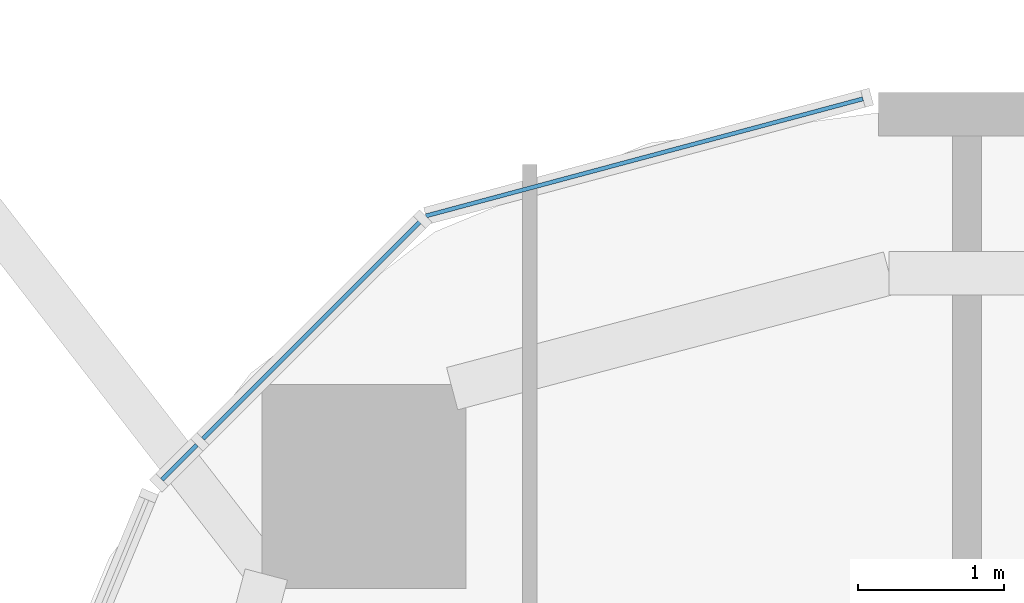
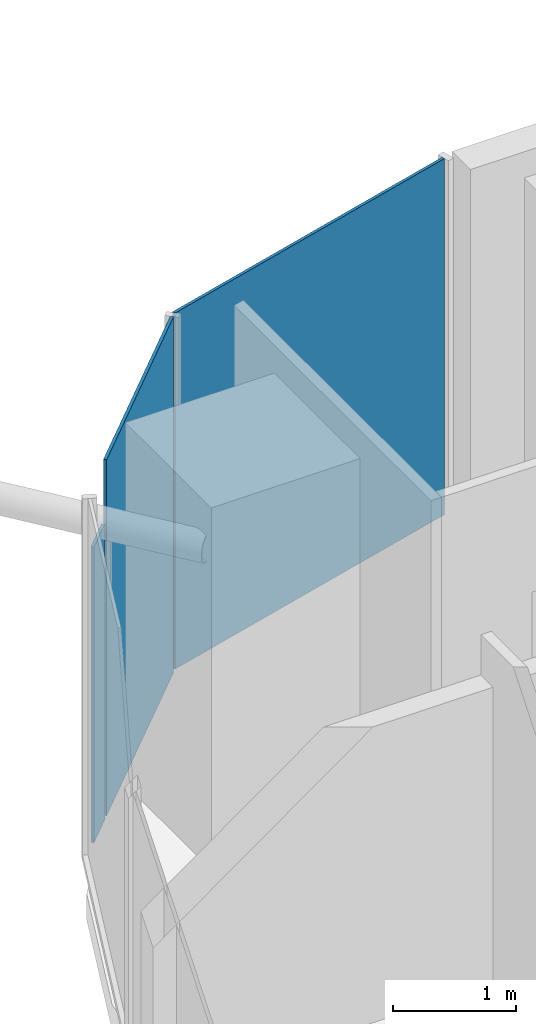
# One storey, part 18 of 28: 3 plates, 3 elements without a shape of their own.
"""IFC4 building model written with IfcOpenShell, lengths in metres."""

from ifc_helpers import new_model, si_unit, direction, frame, origin, origin_2d, place, context, subcontext, project, spatial, rectangle, extrude, material, layer, layer_set, type_object, element, aggregate, save


model = new_model("IFC4")

# Units and contexts
model_context = context("Model", 3, precision=1e-05, world=origin(), true_north=direction((0.0, 1.0)))
body_context = subcontext(model_context, "Body", "Model", "MODEL_VIEW")
ifc_project = project(units=[si_unit("LENGTHUNIT", "METRE"), si_unit("AREAUNIT", "SQUARE_METRE"), si_unit("VOLUMEUNIT", "CUBIC_METRE"), si_unit("PLANEANGLEUNIT", "RADIAN"), si_unit("MASSUNIT", "GRAM", prefix="KILO")], contexts=[model_context])

# Site, building, storey
site_placement = place(None, origin())
site = spatial("IfcSite", under=ifc_project, at=site_placement, CompositionType="ELEMENT")
building_placement = place(site_placement, origin())
building = spatial("IfcBuilding", under=site, at=building_placement, Name="Marenta Gate Hotel Tower", CompositionType="ELEMENT")
storey_placement = place(building_placement, frame((0.0, 0.0, 241.699951171875)))
storey = spatial("IfcBuildingStorey", under=building, at=storey_placement, Name="L57", CompositionType="ELEMENT", Elevation=241.699951171875)

# Curtain wall, plate
ifc_material_1 = material(Name="Tinted insulated glass in bronze anodised frame", Category="glass")
ifc_layer_1 = layer(ifc_material_1, 0.1201171875)
ifc_layer_set_1 = layer_set([ifc_layer_1], Name="Tinted insulated glass in bronze anodised frame")
curtain_wall_type = type_object("IfcCurtainWallType", Name="Tower unitised curtain wall CW1", PredefinedType="NOTDEFINED", material=ifc_layer_set_1)
curtain_wall_1_placement = place(storey_placement, origin())
curtain_wall_1 = element("IfcCurtainWall", 1, at=curtain_wall_1_placement, inside=storey, type_object=curtain_wall_type, Name="CW1 run G00", PredefinedType="NOTDEFINED")
ifc_material_2 = material(Name="Tinted insulated glass", Category="glass")
ifc_layer_2 = layer(ifc_material_2, 0.028076171875)
ifc_layer_set_2 = layer_set([ifc_layer_2], Name="Tinted insulated glass")
plate_type = type_object("IfcPlateType", Name="Glass panel CW1 28 mm tinted insulated unit", PredefinedType="CURTAIN_PANEL", material=ifc_layer_set_2)
plate_1_placement = place(storey_placement, frame((-20.813720703125, 22.19384765625, 0.06005859375), z_axis=(0.0, 0.0, 1.0), x_axis=(-0.965930559685, -0.258801379183, 0.0)))
plate_1 = element("IfcPlate", 2, at=plate_1_placement, type_object=plate_type, Name="CW1 panel 1.1", PredefinedType="CURTAIN_PANEL", context=body_context, shape_type="SweptSolid", body=[
    extrude(rectangle(XDim=3.104248046875, YDim=0.028076171875, at=origin_2d()), origin(), (0.0, 0.0, 1.0), 3.5400390625),
])
aggregate(curtain_wall_1, [plate_1])

curtain_wall_2_placement = place(storey_placement, origin())
curtain_wall_2 = element("IfcCurtainWall", 3, at=curtain_wall_2_placement, inside=storey, type_object=curtain_wall_type, Name="CW1 run G01", PredefinedType="NOTDEFINED")
plate_2_placement = place(storey_placement, frame((-23.0986328125, 21.00634765625, 0.06005859375), z_axis=(0.0, 0.0, 1.0), x_axis=(-0.707106781187, -0.707106781187, 0.0)))
plate_2 = element("IfcPlate", 4, at=plate_2_placement, type_object=plate_type, Name="CW1 panel 1.1", PredefinedType="CURTAIN_PANEL", context=body_context, shape_type="SweptSolid", body=[
    extrude(rectangle(XDim=2.1025390625, YDim=0.028076171875, at=origin_2d()), origin(), (0.0, 0.0, 1.0), 3.5400390625),
])
aggregate(curtain_wall_2, [plate_2])

curtain_wall_3_placement = place(storey_placement, origin())
curtain_wall_3 = element("IfcCurtainWall", 5, at=curtain_wall_3_placement, inside=storey, type_object=curtain_wall_type, Name="CW1 run G02", PredefinedType="NOTDEFINED")
plate_3_placement = place(storey_placement, frame((-24.003662109375, 20.1015625, 0.06005859375), z_axis=(0.0, 0.0, 1.0), x_axis=(-0.707106781187, -0.707106781187, 0.0)))
plate_3 = element("IfcPlate", 6, at=plate_3_placement, type_object=plate_type, Name="CW1 panel 1.1", PredefinedType="CURTAIN_PANEL", context=body_context, shape_type="SweptSolid", body=[
    extrude(rectangle(XDim=0.336669921875, YDim=0.028076171875, at=origin_2d()), origin(), (0.0, 0.0, 1.0), 2.9404296875),
])
aggregate(curtain_wall_3, [plate_3])

save(model, "model.ifc")
